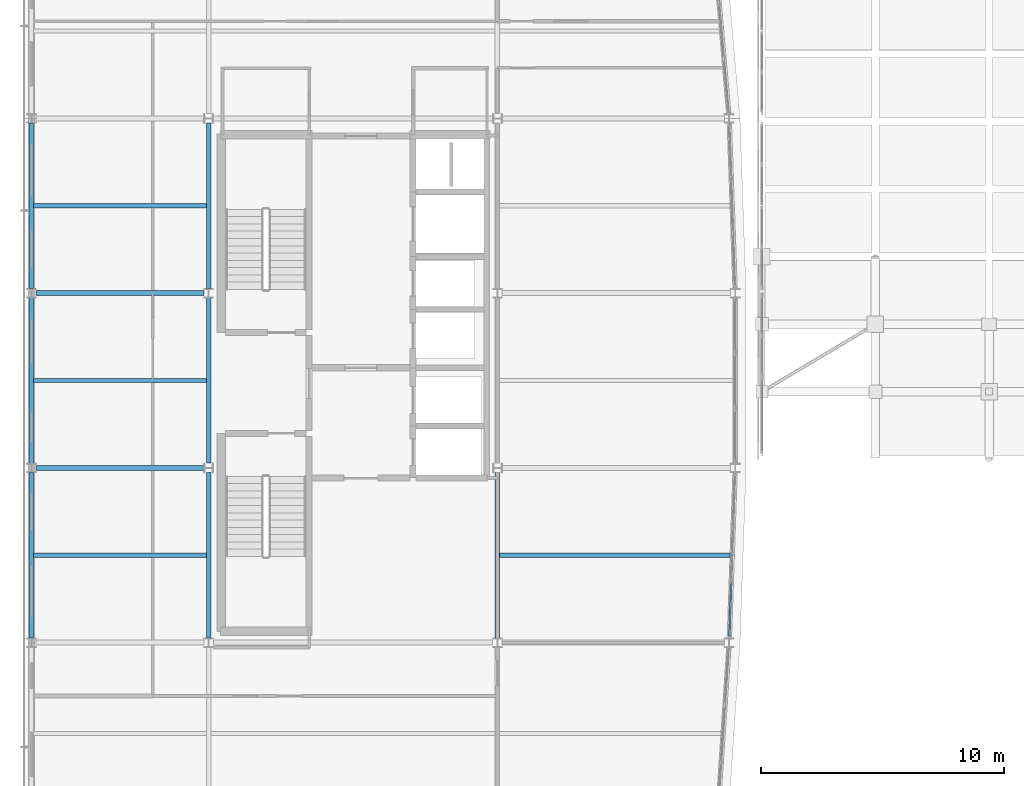
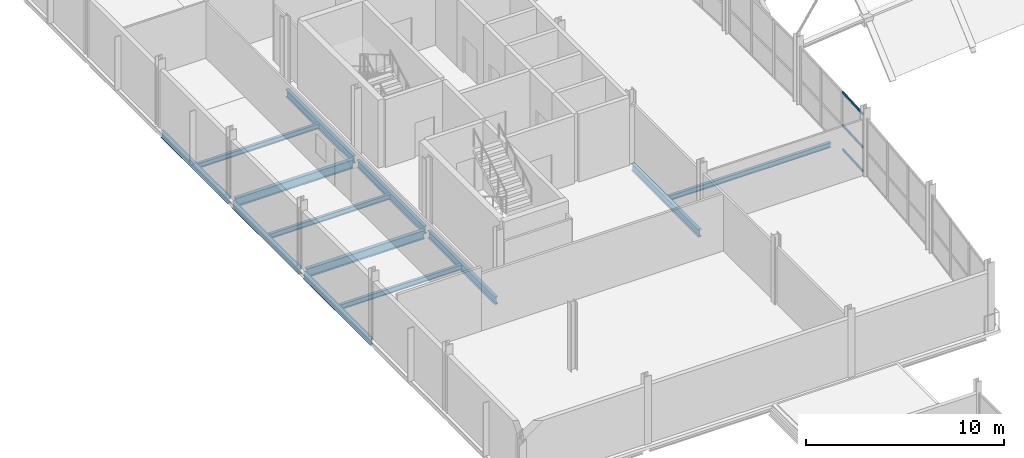
# One storey, part 17 of 65: 13 beams, 3 members, 1 element without a shape of its own.
"""IFC4 building model written with IfcOpenShell, lengths in metres."""

from ifc_helpers import new_model, si_unit, direction, frame, origin, origin_2d, place, context, subcontext, project, spatial, hollow_rectangle, i_section, extrude, material, layer, layer_set, material_profile, profile_set, type_object, element, aggregate, save


model = new_model("IFC4")

# Units and contexts
model_context = context("Model", 3, precision=1e-05, world=origin(), true_north=direction((0.0, 1.0)))
body_context = subcontext(model_context, "Body", "Model", "MODEL_VIEW")
ifc_project = project(units=[si_unit("LENGTHUNIT", "METRE"), si_unit("AREAUNIT", "SQUARE_METRE"), si_unit("VOLUMEUNIT", "CUBIC_METRE"), si_unit("PLANEANGLEUNIT", "RADIAN"), si_unit("MASSUNIT", "GRAM", prefix="KILO")], contexts=[model_context])

# Site, building, storey
site_placement = place(None, origin())
site = spatial("IfcSite", under=ifc_project, at=site_placement, CompositionType="ELEMENT")
building_placement = place(site_placement, origin())
building = spatial("IfcBuilding", under=site, at=building_placement, Name="Quillay Park Conservatory", CompositionType="ELEMENT")
storey_placement = place(building_placement, frame((0.0, 0.0, 14.10009765625)))
storey = spatial("IfcBuildingStorey", under=building, at=storey_placement, Name="L03", CompositionType="ELEMENT", Elevation=14.10009765625)

# Beams
ifc_material_1 = material(Name="Steel ASTM A992 Grade 50", Category="steel")
ifc_material_profile_1 = material_profile(ifc_material_1, i_section(OverallWidth=0.166015625, OverallDepth=0.31298828125, WebThickness=0.006591796875, FlangeThickness=0.01123046875, FilletRadius=0.010009765625, at=origin_2d()), Name="W310x45")
ifc_profile_set_1 = profile_set([ifc_material_profile_1], Name="Steel ASTM A992 Grade 50")
beam_type_1 = type_object("IfcBeamType", Name="COMPOSITE FLOOR JOIST W310 X45", PredefinedType="JOIST", material=ifc_profile_set_1)
beam_1_placement = place(storey_placement, frame((0.639892578125, 81.60009765625, -0.341552734375), z_axis=(1.0, 0.0, 0.0), x_axis=(0.0, 1.0, 0.0)))
element("IfcBeam", 1, at=beam_1_placement, inside=storey, type_object=beam_type_1, Name="L03 beam BM-J-0284", PredefinedType="JOIST", context=body_context, shape_type="SweptSolid", body=[
    extrude(i_section(OverallWidth=0.166015625, OverallDepth=0.31298828125, WebThickness=0.006591796875, FlangeThickness=0.01123046875, FilletRadius=0.010009765625, at=origin_2d()), origin(), (0.0, 0.0, 1.0), 7.114013671875),
])
beam_2_placement = place(storey_placement, frame((19.845947265625, 81.60009765625, -0.341552734375), z_axis=(1.0, 0.0, 0.0), x_axis=(0.0, 1.0, 0.0)))
element("IfcBeam", 2, at=beam_2_placement, inside=storey, type_object=beam_type_1, Name="L03 beam BM-J-0285", PredefinedType="JOIST", context=body_context, shape_type="SweptSolid", body=[
    extrude(i_section(OverallWidth=0.166015625, OverallDepth=0.31298828125, WebThickness=0.006591796875, FlangeThickness=0.01123046875, FilletRadius=0.010009765625, at=origin_2d()), origin(), (0.0, 0.0, 1.0), 9.489013671875),
])
for number, where, z_axis, x_axis, name in (
    (3, (0.639892578125, 88.800048828125, -0.341552734375), (1.0, 0.0, 0.0), (0.0, 1.0, 0.0), "L03 beam BM-J-0290"),
    (4, (0.639892578125, 96.0, -0.341552734375), (1.0, 0.0, 0.0), (0.0, 1.0, 0.0), "L03 beam BM-J-0296"),
):
    element("IfcBeam", number, at=place(storey_placement, frame(where, z_axis=z_axis, x_axis=x_axis)), inside=storey, type_object=beam_type_1, Name=name, PredefinedType="JOIST", context=body_context, shape_type="SweptSolid", body=[
        extrude(i_section(OverallWidth=0.166015625, OverallDepth=0.31298828125, WebThickness=0.006591796875, FlangeThickness=0.01123046875, FilletRadius=0.010009765625, at=origin_2d()), origin(), (0.0, 0.0, 1.0), 7.114013671875),
    ])

# Curtain wall, members
ifc_material_2 = material(Name="Thermally Broken Anodised Aluminium 6063-T6", Category="aluminium")
ifc_layer = layer(ifc_material_2, 0.179931640625)
ifc_layer_set = layer_set([ifc_layer], Name="UNITISED CURTAIN WALL TOWER (Thermally Broken Anodised Aluminium 6063-T6)")
curtain_wall_type = type_object("IfcCurtainWallType", Name="UNITISED CURTAIN WALL TOWER", PredefinedType="USERDEFINED", material=ifc_layer_set)
curtain_wall_placement = place(storey_placement, origin())
curtain_wall = element("IfcCurtainWall", 5, at=curtain_wall_placement, inside=storey, type_object=curtain_wall_type, Name="L03 Unitised Curtain Wall 030", ObjectType="UNITISED CURTAIN WALL", PredefinedType="USERDEFINED")
ifc_material_3 = material(Name="Thermally Broken Anodised Aluminium 6063-T6", Category="aluminium")
ifc_material_profile_2 = material_profile(ifc_material_3, hollow_rectangle(XDim=0.070068359375, YDim=0.1298828125, WallThickness=0.003173828125, at=origin_2d()), Name="AL70x130x3.2")
ifc_profile_set_2 = profile_set([ifc_material_profile_2], Name="Thermally Broken Anodised Aluminium 6063-T6")
member_type = type_object("IfcMemberType", Name="CURTAIN WALL TRANSOM 70 X130", PredefinedType="USERDEFINED", material=ifc_profile_set_2)
member_1_placement = place(storey_placement, frame((29.384521484375, 80.431640625, 0.034912109375), z_axis=(-0.034761587249, -0.999395633396, 0.0), x_axis=(0.999395633396, -0.034761587249, 0.0)))
member_1 = element("IfcMember", 6, at=member_1_placement, type_object=member_type, Name="CW-T1 transom 3.1", ObjectType="TRANSOM", PredefinedType="USERDEFINED", context=body_context, shape_type="SweptSolid", body=[
    extrude(hollow_rectangle(XDim=0.070068359375, YDim=0.1298828125, WallThickness=0.003173828125, at=origin_2d()), origin(), (0.0, 0.0, 1.0), 2.1630859375),
])
member_2_placement = place(storey_placement, frame((29.384521484375, 80.431640625, 1.511474609375), z_axis=(-0.034761587249, -0.999395633396, 0.0), x_axis=(0.999395633396, -0.034761587249, 0.0)))
member_2 = element("IfcMember", 7, at=member_2_placement, type_object=member_type, Name="CW-T1 transom 3.2", ObjectType="TRANSOM", PredefinedType="USERDEFINED", context=body_context, shape_type="SweptSolid", body=[
    extrude(hollow_rectangle(XDim=0.070068359375, YDim=0.1298828125, WallThickness=0.003173828125, at=origin_2d()), origin(), (0.0, 0.0, 1.0), 2.1630859375),
])
member_3_placement = place(storey_placement, frame((29.384521484375, 80.431640625, 3.56396484375), z_axis=(-0.034761587249, -0.999395633396, 0.0), x_axis=(0.999395633396, -0.034761587249, 0.0)))
member_3 = element("IfcMember", 8, at=member_3_placement, type_object=member_type, Name="CW-T1 transom 3.3", ObjectType="TRANSOM", PredefinedType="USERDEFINED", context=body_context, shape_type="SweptSolid", body=[
    extrude(hollow_rectangle(XDim=0.070068359375, YDim=0.1298828125, WallThickness=0.003173828125, at=origin_2d()), origin(), (0.0, 0.0, 1.0), 2.1630859375),
])
aggregate(curtain_wall, [member_1, member_2, member_3])

# Beams
ifc_material_4 = material(Name="Steel ASTM A992 Grade 50", Category="steel")
ifc_material_profile_3 = material_profile(ifc_material_4, i_section(OverallWidth=0.179931640625, OverallDepth=0.4130859375, WebThickness=0.009765625, FlangeThickness=0.01611328125, FilletRadius=0.011962890625, at=origin_2d()), Name="W410x74")
ifc_profile_set_3 = profile_set([ifc_material_profile_3], Name="Steel ASTM A992 Grade 50")
beam_type_2 = type_object("IfcBeamType", Name="PERIMETER SPANDREL BEAM W410 X74", PredefinedType="SPANDREL", material=ifc_profile_set_3)
for number, where, z_axis, x_axis, name in (
    (9, (0.550048828125, 78.18994140625, -0.3916015625), (0.0, 1.0, 0.0), (-1.0, 0.0, 0.0), "L03 beam BM-SPW-0280"),
    (10, (0.550048828125, 85.389892578125, -0.3916015625), (0.0, 1.0, 0.0), (-1.0, 0.0, 0.0), "L03 beam BM-SPW-0286"),
):
    element("IfcBeam", number, at=place(storey_placement, frame(where, z_axis=z_axis, x_axis=x_axis)), inside=storey, type_object=beam_type_2, Name=name, PredefinedType="SPANDREL", context=body_context, shape_type="SweptSolid", body=[
        extrude(i_section(OverallWidth=0.179931640625, OverallDepth=0.4130859375, WebThickness=0.009765625, FlangeThickness=0.01611328125, FilletRadius=0.011962890625, at=origin_2d()), origin(), (0.0, 0.0, 1.0), 6.820068359375),
    ])
beam_3_placement = place(storey_placement, frame((0.550048828125, 92.590087890625, -0.3916015625), z_axis=(0.0, 1.0, 0.0), x_axis=(-1.0, 0.0, 0.0)))
element("IfcBeam", 11, at=beam_3_placement, inside=storey, type_object=beam_type_2, Name="L03 beam BM-SPW-0292", PredefinedType="SPANDREL", context=body_context, shape_type="SweptSolid", body=[
    extrude(i_section(OverallWidth=0.179931640625, OverallDepth=0.4130859375, WebThickness=0.009765625, FlangeThickness=0.01611328125, FilletRadius=0.011962890625, at=origin_2d()), origin(), (0.0, 0.0, 1.0), 6.81982421875),
])
ifc_material_5 = material(Name="Steel ASTM A992 Grade 50", Category="steel")
ifc_material_profile_4 = material_profile(ifc_material_5, i_section(OverallWidth=0.19189453125, OverallDepth=0.462890625, WebThickness=0.010498046875, FlangeThickness=0.017578125, FilletRadius=0.012939453125, at=origin_2d()), Name="W460x89")
ifc_profile_set_4 = profile_set([ifc_material_profile_4], Name="Steel ASTM A992 Grade 50")
beam_type_3 = type_object("IfcBeamType", Name="PRIMARY FLOOR GIRDER W460 X89", PredefinedType="BEAM", material=ifc_profile_set_4)
for number, where, z_axis, x_axis, name in (
    (12, (7.85009765625, 78.18994140625, -0.41650390625), (0.0, 1.0, 0.0), (-1.0, 0.0, 0.0), "L03 beam BM-GNS-0282"),
    (13, (19.75, 78.18994140625, -0.41650390625), (0.0, 1.0, 0.0), (-1.0, 0.0, 0.0), "L03 beam BM-GNS-0283"),
    (14, (7.85009765625, 85.3974609375, -0.41650390625), (0.0, 1.0, 0.0), (-1.0, 0.0, 0.0), "L03 beam BM-GNS-0288"),
    (15, (7.85009765625, 92.590087890625, -0.41650390625), (0.0, 1.0, 0.0), (-1.0, 0.0, 0.0), "L03 beam BM-GNS-0294"),
):
    element("IfcBeam", number, at=place(storey_placement, frame(where, z_axis=z_axis, x_axis=x_axis)), inside=storey, type_object=beam_type_3, Name=name, PredefinedType="BEAM", context=body_context, shape_type="SweptSolid", body=[
        extrude(i_section(OverallWidth=0.19189453125, OverallDepth=0.462890625, WebThickness=0.010498046875, FlangeThickness=0.017578125, FilletRadius=0.012939453125, at=origin_2d()), origin(), (0.0, 0.0, 1.0), 6.8125),
    ])
ifc_material_6 = material(Name="Steel ASTM A992 Grade 50", Category="steel")
ifc_material_profile_5 = material_profile(ifc_material_6, i_section(OverallWidth=0.2109375, OverallDepth=0.5390625, WebThickness=0.01171875, FlangeThickness=0.018798828125, FilletRadius=0.013916015625, at=origin_2d()), Name="W530x109")
ifc_profile_set_5 = profile_set([ifc_material_profile_5], Name="Steel ASTM A992 Grade 50")
beam_type_4 = type_object("IfcBeamType", Name="PRIMARY FLOOR GIRDER W530 X109", PredefinedType="BEAM", material=ifc_profile_set_5)
beam_4_placement = place(storey_placement, frame((0.74755859375, 85.199951171875, -0.45458984375), z_axis=(1.0, 0.0, 0.0), x_axis=(0.0, 1.0, 0.0)))
element("IfcBeam", 16, at=beam_4_placement, inside=storey, type_object=beam_type_4, Name="L03 beam BM-G-0253", PredefinedType="BEAM", context=body_context, shape_type="SweptSolid", body=[
    extrude(i_section(OverallWidth=0.2109375, OverallDepth=0.5390625, WebThickness=0.01171875, FlangeThickness=0.018798828125, FilletRadius=0.013916015625, at=origin_2d()), origin(), (0.0, 0.0, 1.0), 6.912353515625),
])
beam_5_placement = place(storey_placement, frame((0.74755859375, 92.39990234375, -0.45458984375), z_axis=(1.0, 0.0, 0.0), x_axis=(0.0, 1.0, 0.0)))
element("IfcBeam", 17, at=beam_5_placement, inside=storey, type_object=beam_type_4, Name="L03 beam BM-G-0255", PredefinedType="BEAM", context=body_context, shape_type="SweptSolid", body=[
    extrude(i_section(OverallWidth=0.2109375, OverallDepth=0.5390625, WebThickness=0.01171875, FlangeThickness=0.018798828125, FilletRadius=0.013916015625, at=origin_2d()), origin(), (0.0, 0.0, 1.0), 6.905029296875),
])

save(model, "model.ifc")
